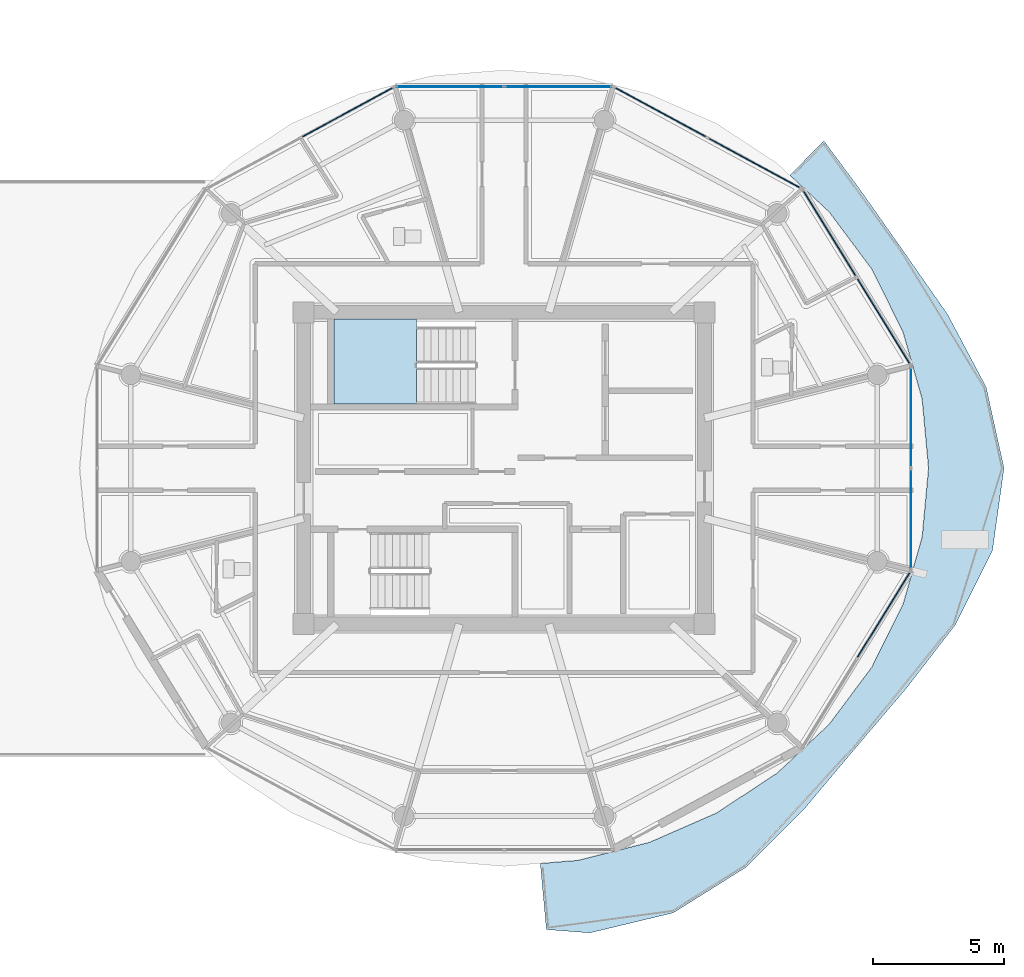
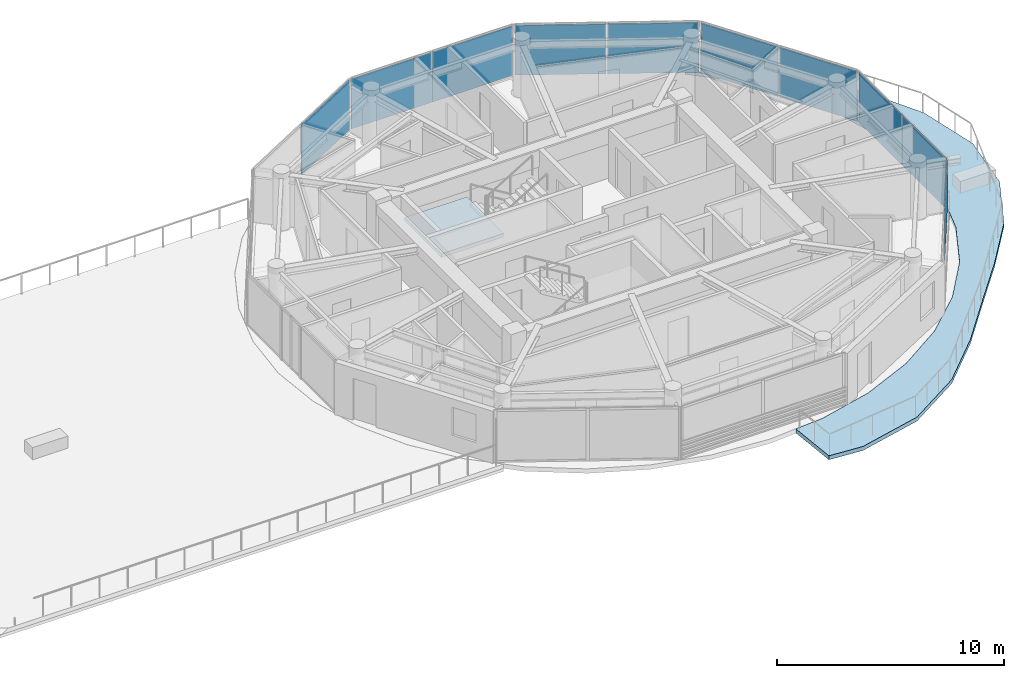
# One storey, part 12 of 30: 10 plates, 2 slabs, 7 elements without a shape of their own.
"""IFC4 building model written with IfcOpenShell, lengths in metres."""

from ifc_helpers import new_model, si_unit, direction, frame, origin, origin_2d, place, context, subcontext, project, spatial, polyline, rectangle, outline, extrude, source, transform, mapped, material, layer, layer_set, type_object, type_shapes, element, aggregate, save


model = new_model("IFC4")

# Units and contexts
model_context = context("Model", 3, precision=1e-05, world=origin(), true_north=direction((0.0, 1.0)))
body_context = subcontext(model_context, "Body", "Model", "MODEL_VIEW")
ifc_project = project(units=[si_unit("LENGTHUNIT", "METRE"), si_unit("AREAUNIT", "SQUARE_METRE"), si_unit("VOLUMEUNIT", "CUBIC_METRE"), si_unit("PLANEANGLEUNIT", "RADIAN"), si_unit("MASSUNIT", "GRAM", prefix="KILO")], contexts=[model_context])

# Site, building, storey
site_placement = place(None, origin())
site = spatial("IfcSite", under=ifc_project, at=site_placement, CompositionType="ELEMENT")
building_placement = place(site_placement, origin())
building = spatial("IfcBuilding", under=site, at=building_placement, Name="Norrkilde Senior Care Towers", CompositionType="ELEMENT")
storey_placement = place(building_placement, frame((0.0, 0.0, 232.199951171875)))
storey = spatial("IfcBuildingStorey", under=building, at=storey_placement, Name="L72", CompositionType="ELEMENT", Elevation=232.199951171875)

# Slab
ifc_material_1 = material(Name="Concrete C50/60", Category="concrete")
ifc_layer_1 = layer(ifc_material_1, 0.215087890625)
ifc_layer_set_1 = layer_set([ifc_layer_1], Name="Concrete C50/60")
slab_type_1 = type_object("IfcSlabType", Name="Sinusoidal Balcony Ribbon Slab 215", PredefinedType="FLOOR", material=ifc_layer_set_1)
slab_1_placement = place(storey_placement, frame((0.0, 0.0, -0.21484375)))
element("IfcSlab", 1, at=slab_1_placement, inside=storey, type_object=slab_type_1, Name="L72 Drum E Swirling Senior Balcony 1", PredefinedType="FLOOR", context=body_context, shape_type="SweptSolid", body=[
    extrude(outline(polyline([(41.421875, -10.67529296875), (39.4736328125, -12.99072265625), (37.226318359375, -15.24267578125), (34.459716796875, -16.974365234375), (31.271728515625, -17.74072265625), (29.613525390625, -17.611572265625), (29.382568359375, -15.091552734375), (30.81396484375, -14.97412109375), (33.54248046875, -14.2880859375), (36.1025390625, -13.16796875), (38.416259765625, -11.647705078125), (40.413818359375, -9.773681640625), (42.033935546875, -7.6025390625), (43.227783203125, -5.200439453125), (43.958740234375, -2.640380859375), (44.205078125, 0.0), (43.958740234375, 2.640380859375), (43.227783203125, 5.200439453125), (42.033935546875, 7.6025390625), (40.413818359375, 9.773681640625), (38.916015625, 11.1787109375), (40.2041015625, 12.497802734375), (41.50390625, 10.748779296875), (43.211669921875, 8.327392578125), (44.93359375, 5.8623046875), (46.39990234375, 3.09912109375), (47.0830078125, 0.0), (46.642578125, -3.144775390625), (45.2294921875, -5.97705078125), (43.348876953125, -8.411865234375), (41.421875, -10.67529296875)])), origin(), (0.0, 0.0, 1.0), 0.21484375),
])

# Stair, slab
ifc_material_2 = material(Name="Concrete C45/55", Category="concrete")
stair_type = type_object("IfcStairType", Name="Core Protected Dogleg Stair Typical 3050", PredefinedType="HALF_TURN_STAIR", material=ifc_material_2)
stair_placement = place(storey_placement, origin())
stair = element("IfcStair", 2, at=stair_placement, inside=storey, type_object=stair_type, Name="L72 Protected Core Stair E1", PredefinedType="HALF_TURN_STAIR")
ifc_layer_2 = layer(ifc_material_2, 0.199951171875)
ifc_layer_set_2 = layer_set([ifc_layer_2], Name="Concrete C45/55")
slab_type_2 = type_object("IfcSlabType", Name="Stair Landing Slab 200", PredefinedType="LANDING", material=ifc_layer_set_2)
slab_2_placement = place(storey_placement, frame((0.0, 0.0, 1.324951171875)))
slab_2 = element("IfcSlab", 3, at=slab_2_placement, type_object=slab_type_2, Name="ST-E1 landing 1", PredefinedType="LANDING", context=body_context, shape_type="SweptSolid", body=[
    extrude(outline(polyline([(24.659912109375, 5.68994140625), (21.5, 5.68994140625), (21.5, 2.449951171875), (24.659912109375, 2.449951171875), (24.659912109375, 5.68994140625)])), origin(), (0.0, 0.0, 1.0), 0.2001953125),
])
aggregate(stair, [slab_2])

# Curtain wall, plates
ifc_material_3 = material(Name="Triple Low-E Insulated Glazing", Category="glass")
ifc_layer_3 = layer(ifc_material_3, 0.18505859375)
ifc_layer_set_3 = layer_set([ifc_layer_3], Name="Triple Low-E Insulated Glazing")
curtain_wall_type = type_object("IfcCurtainWallType", Name="CW6 Zone 4 Crown Pavilion Curtain Wall", PredefinedType="NOTDEFINED", material=ifc_layer_set_3)
curtain_wall_1_placement = place(storey_placement, origin())
curtain_wall_1 = element("IfcCurtainWall", 4, at=curtain_wall_1_placement, inside=storey, type_object=curtain_wall_type, Name="L72 Drum E Curtain Wall 01", PredefinedType="NOTDEFINED")
ifc_layer_4 = layer(ifc_material_3, 0.035888671875)
ifc_layer_set_4 = layer_set([ifc_layer_4], Name="Triple Low-E Insulated Glazing")
plate_type = type_object("IfcPlateType", Name="Triple Low-E Vision Curtain Panel 36", PredefinedType="CURTAIN_PANEL", material=ifc_layer_set_4)
shared_shape_1 = source(origin(), body_context, "Body", "SweptSolid", [
    extrude(rectangle(XDim=4.001220703125, YDim=0.035888671875, at=origin_2d()), origin(), (0.0, 0.0, 1.0), 2.68994140625),
])
plate_1_placement = place(storey_placement, frame((33.978271484375, 13.582763671875, 0.06005859375), z_axis=(0.0, 0.0, 1.0), x_axis=(0.879373455772, -0.476132676136, 0.0)))
plate_1 = element("IfcPlate", 5, at=plate_1_placement, type_object=plate_type, Name="CW-6 panel 1.1", PredefinedType="CURTAIN_PANEL", context=body_context, shape_type="MappedRepresentation", body=[
    mapped(shared_shape_1, transform((0.0, 0.0, 0.0), x_axis=(1.0, 0.0, 0.0), y_axis=(0.0, 1.0, 0.0), z_axis=(0.0, 0.0, 1.0), scale=1.0)),
])
plate_2_placement = place(storey_placement, frame((37.553955078125, 11.646728515625, 0.06005859375), z_axis=(0.0, 0.0, 1.0), x_axis=(0.879373455772, -0.476132676136, 0.0)))
plate_2 = element("IfcPlate", 6, at=plate_2_placement, type_object=plate_type, Name="CW-6 panel 2.1", PredefinedType="CURTAIN_PANEL", context=body_context, shape_type="MappedRepresentation", body=[
    mapped(shared_shape_1, transform((0.0, 0.0, 0.0), x_axis=(1.0, 0.0, 0.0), y_axis=(0.0, 1.0, 0.0), z_axis=(0.0, 0.0, 1.0), scale=1.0)),
])
aggregate(curtain_wall_1, [plate_1, plate_2])

# Curtain wall, plate
curtain_wall_2_placement = place(storey_placement, origin())
curtain_wall_2 = element("IfcCurtainWall", 7, at=curtain_wall_2_placement, inside=storey, type_object=curtain_wall_type, Name="L72 Drum E Curtain Wall 03", PredefinedType="NOTDEFINED")
plate_3_placement = place(storey_placement, frame((22.021728515625, 13.582763671875, 0.06005859375), z_axis=(0.0, 0.0, 1.0), x_axis=(0.879373455772, 0.476132676136, 0.0)))
plate_3 = element("IfcPlate", 8, at=plate_3_placement, type_object=plate_type, Name="CW-6 panel 2.1", PredefinedType="CURTAIN_PANEL", context=body_context, shape_type="MappedRepresentation", body=[
    mapped(shared_shape_1, transform((0.0, 0.0, 0.0), x_axis=(1.0, 0.0, 0.0), y_axis=(0.0, 1.0, 0.0), z_axis=(0.0, 0.0, 1.0), scale=1.0)),
])
aggregate(curtain_wall_2, [plate_3])

# Curtain wall, plates
curtain_wall_3_placement = place(storey_placement, origin())
curtain_wall_3 = element("IfcCurtainWall", 9, at=curtain_wall_3_placement, inside=storey, type_object=curtain_wall_type, Name="L72 Drum E Curtain Wall 02", PredefinedType="NOTDEFINED")
shared_shape_2 = source(origin(), body_context, "Body", "SweptSolid", [
    extrude(rectangle(XDim=4.064208984375, YDim=0.035888671875, at=origin_2d()), origin(), (0.0, 0.0, 1.0), 2.68994140625),
])
plate_4_placement = place(storey_placement, frame((25.935302734375, 14.566162109375, 0.06005859375), z_axis=(0.0, 0.0, 1.0), x_axis=(1.0, 0.0, 0.0)))
plate_4 = element("IfcPlate", 10, at=plate_4_placement, type_object=plate_type, Name="CW-6 panel 1.1", PredefinedType="CURTAIN_PANEL", context=body_context, shape_type="MappedRepresentation", body=[
    mapped(shared_shape_2, transform((0.0, 0.0, 0.0), x_axis=(1.0, 0.0, 0.0), y_axis=(0.0, 1.0, 0.0), z_axis=(0.0, 0.0, 1.0), scale=1.0)),
])
plate_5_placement = place(storey_placement, frame((30.064697265625, 14.566162109375, 0.06005859375), z_axis=(0.0, 0.0, 1.0), x_axis=(1.0, 0.0, 0.0)))
plate_5 = element("IfcPlate", 11, at=plate_5_placement, type_object=plate_type, Name="CW-6 panel 2.1", PredefinedType="CURTAIN_PANEL", context=body_context, shape_type="MappedRepresentation", body=[
    mapped(shared_shape_2, transform((0.0, 0.0, 0.0), x_axis=(1.0, 0.0, 0.0), y_axis=(0.0, 1.0, 0.0), z_axis=(0.0, 0.0, 1.0), scale=1.0)),
])
aggregate(curtain_wall_3, [plate_4, plate_5])

curtain_wall_4_placement = place(storey_placement, origin())
curtain_wall_4 = element("IfcCurtainWall", 12, at=curtain_wall_4_placement, inside=storey, type_object=curtain_wall_type, Name="L72 Drum E Curtain Wall 00", PredefinedType="NOTDEFINED")
shared_shape_3 = source(origin(), body_context, "Body", "SweptSolid", [
    extrude(rectangle(XDim=3.871826171875, YDim=0.035888671875, at=origin_2d()), origin(), (0.0, 0.0, 1.0), 2.68994140625),
])
plate_6_placement = place(storey_placement, frame((40.419189453125, 8.959228515625, 0.06005859375), z_axis=(0.0, 0.0, 1.0), x_axis=(0.524252726748, -0.851562727283, 0.0)))
plate_6 = element("IfcPlate", 13, at=plate_6_placement, type_object=plate_type, Name="CW-6 panel 1.1", PredefinedType="CURTAIN_PANEL", context=body_context, shape_type="MappedRepresentation", body=[
    mapped(shared_shape_3, transform((0.0, 0.0, 0.0), x_axis=(1.0, 0.0, 0.0), y_axis=(0.0, 1.0, 0.0), z_axis=(0.0, 0.0, 1.0), scale=1.0)),
])
plate_7_placement = place(storey_placement, frame((42.483154296875, 5.60693359375, 0.06005859375), z_axis=(0.0, 0.0, 1.0), x_axis=(0.524252726748, -0.851562727283, 0.0)))
plate_7 = element("IfcPlate", 14, at=plate_7_placement, type_object=plate_type, Name="CW-6 panel 2.1", PredefinedType="CURTAIN_PANEL", context=body_context, shape_type="MappedRepresentation", body=[
    mapped(shared_shape_3, transform((0.0, 0.0, 0.0), x_axis=(1.0, 0.0, 0.0), y_axis=(0.0, 1.0, 0.0), z_axis=(0.0, 0.0, 1.0), scale=1.0)),
])
aggregate(curtain_wall_4, [plate_6, plate_7])

# Curtain wall, plate
curtain_wall_5_placement = place(storey_placement, origin())
curtain_wall_5 = element("IfcCurtainWall", 15, at=curtain_wall_5_placement, inside=storey, type_object=curtain_wall_type, Name="L72 Drum E Curtain Wall 10", PredefinedType="NOTDEFINED")
plate_8_placement = place(storey_placement, frame((42.483154296875, -5.60693359375, 0.06005859375), z_axis=(0.0, 0.0, 1.0), x_axis=(-0.524252726748, -0.851562727283, 0.0)))
plate_8 = element("IfcPlate", 16, at=plate_8_placement, type_object=plate_type, Name="CW-6 panel 1.1", PredefinedType="CURTAIN_PANEL", context=body_context, shape_type="MappedRepresentation", body=[
    mapped(shared_shape_3, transform((0.0, 0.0, 0.0), x_axis=(1.0, 0.0, 0.0), y_axis=(0.0, 1.0, 0.0), z_axis=(0.0, 0.0, 1.0), scale=1.0)),
])
aggregate(curtain_wall_5, [plate_8])

# Curtain wall, plates
curtain_wall_6_placement = place(storey_placement, origin())
curtain_wall_6 = element("IfcCurtainWall", 17, at=curtain_wall_6_placement, inside=storey, type_object=curtain_wall_type, Name="L72 Drum E Curtain Wall 11", PredefinedType="NOTDEFINED")
shared_shape_4 = source(origin(), body_context, "Body", "SweptSolid", [
    extrude(rectangle(XDim=3.805419921875, YDim=0.035888671875, at=origin_2d()), origin(), (0.0, 0.0, 1.0), 2.68994140625),
])
type_shapes(plate_type, [shared_shape_1, shared_shape_2, shared_shape_3, shared_shape_4])
plate_9_placement = place(storey_placement, frame((43.531982421875, 1.935302734375, 0.06005859375), z_axis=(0.0, 0.0, 1.0), x_axis=(0.0, -1.0, 0.0)))
plate_9 = element("IfcPlate", 18, at=plate_9_placement, type_object=plate_type, Name="CW-6 panel 1.1", PredefinedType="CURTAIN_PANEL", context=body_context, shape_type="MappedRepresentation", body=[
    mapped(shared_shape_4, transform((0.0, 0.0, 0.0), x_axis=(1.0, 0.0, 0.0), y_axis=(0.0, 1.0, 0.0), z_axis=(0.0, 0.0, 1.0), scale=1.0)),
])
plate_10_placement = place(storey_placement, frame((43.531982421875, -1.935302734375, 0.06005859375), z_axis=(0.0, 0.0, 1.0), x_axis=(0.0, -1.0, 0.0)))
plate_10 = element("IfcPlate", 19, at=plate_10_placement, type_object=plate_type, Name="CW-6 panel 2.1", PredefinedType="CURTAIN_PANEL", context=body_context, shape_type="MappedRepresentation", body=[
    mapped(shared_shape_4, transform((0.0, 0.0, 0.0), x_axis=(1.0, 0.0, 0.0), y_axis=(0.0, 1.0, 0.0), z_axis=(0.0, 0.0, 1.0), scale=1.0)),
])
aggregate(curtain_wall_6, [plate_9, plate_10])

save(model, "model.ifc")
